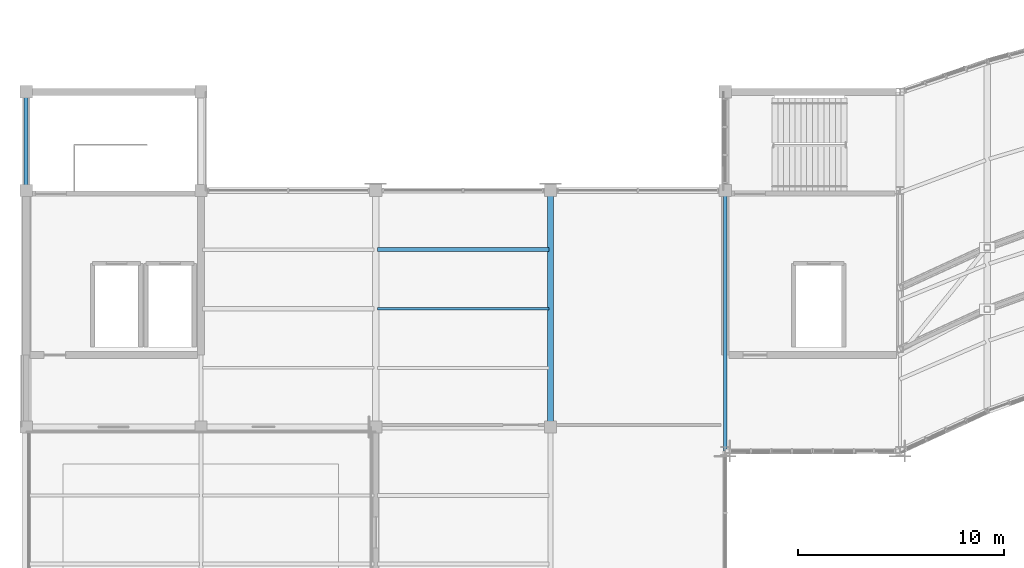
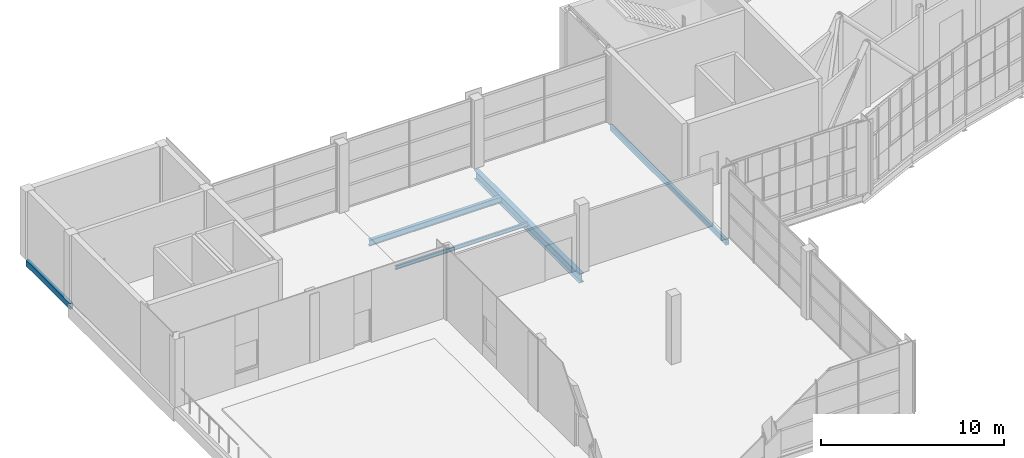
# One storey, part 14 of 46: 5 beams.
"""IFC4 building model written with IfcOpenShell, lengths in metres."""

from ifc_helpers import new_model, si_unit, direction, frame, origin, origin_2d, place, context, subcontext, project, spatial, hollow_rectangle, i_section, extrude, material, material_profile, profile_set, type_object, element, save


model = new_model("IFC4")

# Units and contexts
model_context = context("Model", 3, precision=1e-05, world=origin(), true_north=direction((0.0, 1.0)))
body_context = subcontext(model_context, "Body", "Model", "MODEL_VIEW")
ifc_project = project(units=[si_unit("LENGTHUNIT", "METRE"), si_unit("AREAUNIT", "SQUARE_METRE"), si_unit("VOLUMEUNIT", "CUBIC_METRE"), si_unit("PLANEANGLEUNIT", "RADIAN"), si_unit("MASSUNIT", "GRAM", prefix="KILO")], contexts=[model_context])

# Site, building, storey
site_placement = place(None, origin())
site = spatial("IfcSite", under=ifc_project, at=site_placement, CompositionType="ELEMENT")
building_placement = place(site_placement, origin())
building = spatial("IfcBuilding", under=site, at=building_placement, Name="Solvikara Media Centre", CompositionType="ELEMENT")
storey_placement = place(building_placement, frame((0.0, 0.0, 24.60009765625)))
storey = spatial("IfcBuildingStorey", under=building, at=storey_placement, Name="L05", CompositionType="ELEMENT", Elevation=24.60009765625)

# Beams
ifc_material = material(Name="Steel S355JR", Category="steel")
ifc_material_profile_1 = material_profile(ifc_material, i_section(OverallWidth=0.199951171875, OverallDepth=0.39990234375, WebThickness=0.008056640625, FlangeThickness=0.012939453125, at=origin_2d()), Name="WF 400x200x8x13")
ifc_profile_set_1 = profile_set([ifc_material_profile_1], Name="Steel S355JR")
beam_type_1 = type_object("IfcBeamType", Name="BM-21", PredefinedType="JOIST", material=ifc_profile_set_1)
beam_1_placement = place(storey_placement, frame((51.077880859375, 29.125, -0.482177734375), z_axis=(1.0, 0.0, 0.0), x_axis=(0.0, 1.0, 0.0)))
element("IfcBeam", 1, at=beam_1_placement, inside=storey, type_object=beam_type_1, Name="J-L05-1689", PredefinedType="JOIST", context=body_context, shape_type="SweptSolid", body=[
    extrude(i_section(OverallWidth=0.199951171875, OverallDepth=0.39990234375, WebThickness=0.008056640625, FlangeThickness=0.012939453125, at=origin_2d()), origin(), (0.0, 0.0, 1.0), 8.34423828125),
])
ifc_material_profile_2 = material_profile(ifc_material, hollow_rectangle(XDim=0.199951171875, YDim=0.39990234375, WallThickness=0.011962890625, at=origin_2d()), Name="RHS 400x200x12")
ifc_profile_set_2 = profile_set([ifc_material_profile_2], Name="Steel S355JR")
beam_type_2 = type_object("IfcBeamType", Name="BM-33", PredefinedType="SPANDREL", material=ifc_profile_set_2)
beam_2_placement = place(storey_placement, frame((34.0, 32.0, -0.482177734375), z_axis=(0.0, 1.0, 0.0), x_axis=(-1.0, 0.0, 0.0)))
element("IfcBeam", 2, at=beam_2_placement, inside=storey, type_object=beam_type_2, Name="B-L05-Y1653", PredefinedType="SPANDREL", context=body_context, shape_type="SweptSolid", body=[
    extrude(hollow_rectangle(XDim=0.199951171875, YDim=0.39990234375, WallThickness=0.011962890625, at=origin_2d()), origin(), (0.0, 0.0, 1.0), 4.800048828125),
])
ifc_material_profile_3 = material_profile(ifc_material, hollow_rectangle(XDim=0.175048828125, YDim=0.35009765625, WallThickness=0.010009765625, at=origin_2d()), Name="RHS 350x175x10")
ifc_profile_set_3 = profile_set([ifc_material_profile_3], Name="Steel S355JR")
beam_type_3 = type_object("IfcBeamType", Name="BM-34", PredefinedType="SPANDREL", material=ifc_profile_set_3)
beam_3_placement = place(storey_placement, frame((68.0, 19.323974609375, -0.45703125), z_axis=(0.0, 1.0, 0.0), x_axis=(-1.0, 0.0, 0.0)))
element("IfcBeam", 3, at=beam_3_placement, inside=storey, type_object=beam_type_3, Name="B-L05-Y1666", PredefinedType="SPANDREL", context=body_context, shape_type="SweptSolid", body=[
    extrude(hollow_rectangle(XDim=0.175048828125, YDim=0.35009765625, WallThickness=0.010009765625, at=origin_2d()), origin(), (0.0, 0.0, 1.0), 12.676025390625),
])
ifc_material_profile_4 = material_profile(ifc_material, i_section(OverallWidth=0.1240234375, OverallDepth=0.248046875, WebThickness=0.0048828125, FlangeThickness=0.008056640625, at=origin_2d()), Name="WF 248x124x5x8")
ifc_profile_set_4 = profile_set([ifc_material_profile_4], Name="Steel S355JR")
beam_type_4 = type_object("IfcBeamType", Name="BM-40", PredefinedType="JOIST", material=ifc_profile_set_4)
beam_4_placement = place(storey_placement, frame((51.077880859375, 26.25, -0.406005859375), z_axis=(1.0, 0.0, 0.0), x_axis=(0.0, 1.0, 0.0)))
element("IfcBeam", 4, at=beam_4_placement, inside=storey, type_object=beam_type_4, Name="J-L05-1688", PredefinedType="JOIST", context=body_context, shape_type="SweptSolid", body=[
    extrude(i_section(OverallWidth=0.1240234375, OverallDepth=0.248046875, WebThickness=0.0048828125, FlangeThickness=0.008056640625, at=origin_2d()), origin(), (0.0, 0.0, 1.0), 8.34423828125),
])
ifc_material_profile_5 = material_profile(ifc_material, i_section(OverallWidth=0.302001953125, OverallDepth=0.593994140625, WebThickness=0.013916015625, FlangeThickness=0.02294921875, at=origin_2d()), Name="H 594x302x14x23")
ifc_profile_set_5 = profile_set([ifc_material_profile_5], Name="Steel S355JR")
beam_type_5 = type_object("IfcBeamType", Name="BM-41", PredefinedType="BEAM", material=ifc_profile_set_5)
beam_5_placement = place(storey_placement, frame((59.5, 20.5, -0.5791015625), z_axis=(0.0, 1.0, 0.0), x_axis=(-1.0, 0.0, 0.0)))
element("IfcBeam", 5, at=beam_5_placement, inside=storey, type_object=beam_type_5, Name="B-L05-Y1663", PredefinedType="BEAM", context=body_context, shape_type="SweptSolid", body=[
    extrude(i_section(OverallWidth=0.302001953125, OverallDepth=0.593994140625, WebThickness=0.013916015625, FlangeThickness=0.02294921875, at=origin_2d()), origin(), (0.0, 0.0, 1.0), 11.5),
])

save(model, "model.ifc")
